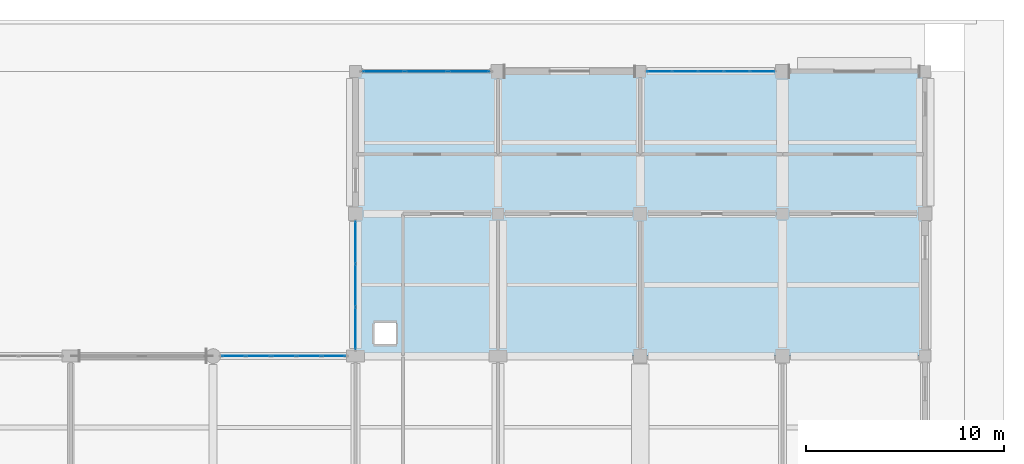
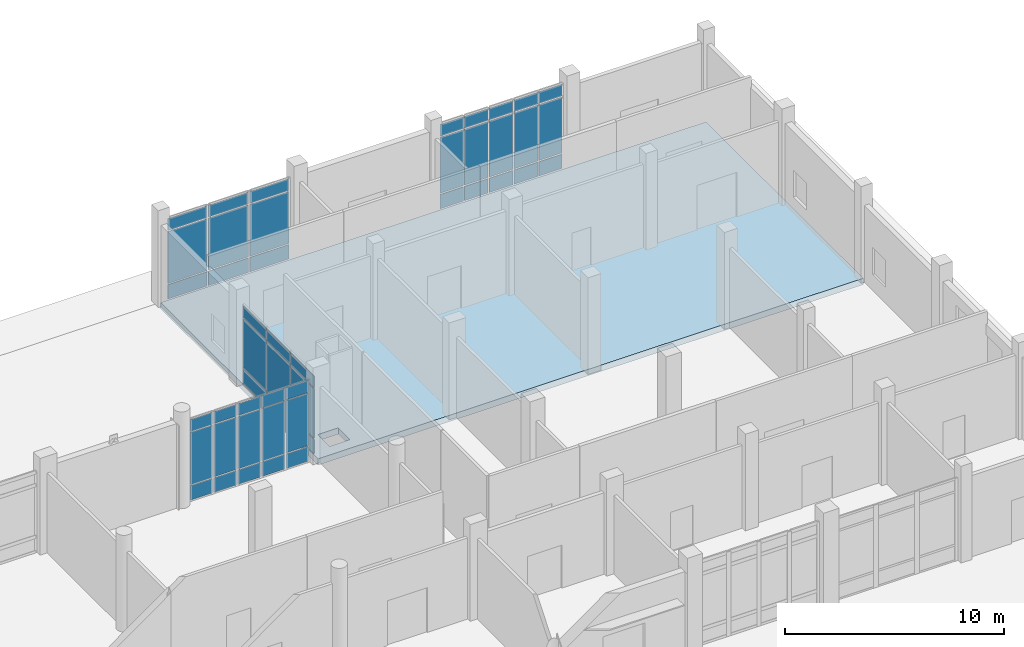
# One storey, part 158 of 229: 48 plates, 1 slab, 4 elements without a shape of their own.
"""IFC4 building model written with IfcOpenShell, lengths in metres."""

from ifc_helpers import new_model, si_unit, direction, frame, origin, origin_2d, place, context, subcontext, project, spatial, polyline, rectangle, outline, extrude, material, layer, layer_set, type_object, element, aggregate, save


model = new_model("IFC4")

# Units and contexts
model_context = context("Model", 3, precision=1e-05, world=origin(), true_north=direction((0.0, 1.0)))
body_context = subcontext(model_context, "Body", "Model", "MODEL_VIEW")
ifc_project = project(units=[si_unit("LENGTHUNIT", "METRE"), si_unit("AREAUNIT", "SQUARE_METRE"), si_unit("VOLUMEUNIT", "CUBIC_METRE"), si_unit("PLANEANGLEUNIT", "RADIAN"), si_unit("MASSUNIT", "GRAM", prefix="KILO")], contexts=[model_context])

# Site, building, storey
site_placement = place(None, origin())
site = spatial("IfcSite", under=ifc_project, at=site_placement, CompositionType="ELEMENT")
building_placement = place(site_placement, origin())
building = spatial("IfcBuilding", under=site, at=building_placement, Name="Calvrana Isthmian Art Gallery", CompositionType="ELEMENT")
storey_placement = place(building_placement, origin())
storey = spatial("IfcBuildingStorey", under=building, at=storey_placement, Name="L00", CompositionType="ELEMENT", Elevation=0.0)

# Curtain wall, plates
ifc_material_1 = material(Name="Anodized bronze aluminium 6063-T6", Category="aluminium")
ifc_layer_1 = layer(ifc_material_1, 0.179931640625, Name="Anodized bronze aluminium 6063-T6")
ifc_layer_set_1 = layer_set([ifc_layer_1], Name="Anodized bronze aluminium 6063-T6")
curtain_wall_type_1 = type_object("IfcCurtainWallType", Name="CW-UNIT-064X46", PredefinedType="USERDEFINED", material=ifc_layer_set_1)
curtain_wall_1_placement = place(storey_placement, origin())
curtain_wall_1 = element("IfcCurtainWall", 1, at=curtain_wall_1_placement, inside=storey, type_object=curtain_wall_type_1, Name="Curtain wall CW-040", ObjectType="UNITISED CURTAIN WALL", PredefinedType="USERDEFINED")
ifc_material_2 = material(Name="Polychrome glazed terracotta", Category="masonry")
ifc_layer_2 = layer(ifc_material_2, 0.033935546875, Name="Polychrome glazed terracotta")
ifc_layer_set_2 = layer_set([ifc_layer_2], Name="Polychrome glazed terracotta")
plate_type_1 = type_object("IfcPlateType", Name="CWP-SPANDREL-34", PredefinedType="CURTAIN_PANEL", material=ifc_layer_set_2)
plate_1_placement = place(storey_placement, frame((128.231201171875, 98.39990234375, 0.06005859375), z_axis=(0.0, 0.0, 1.0), x_axis=(1.0, 0.0, 0.0)))
plate_1 = element("IfcPlate", 2, at=plate_1_placement, type_object=plate_type_1, Name="CW-040 panel 1.1", PredefinedType="CURTAIN_PANEL", context=body_context, shape_type="SweptSolid", body=[
    extrude(rectangle(XDim=1.16259765625, YDim=0.033935546875, at=origin_2d()), origin(), (0.0, 0.0, 1.0), 0.81005859375),
])
plate_2_placement = place(storey_placement, frame((128.231201171875, 98.39990234375, 0.93017578125), z_axis=(0.0, 0.0, 1.0), x_axis=(1.0, 0.0, 0.0)))
plate_2 = element("IfcPlate", 3, at=plate_2_placement, type_object=plate_type_1, Name="CW-040 panel 1.2", PredefinedType="CURTAIN_PANEL", context=body_context, shape_type="SweptSolid", body=[
    extrude(rectangle(XDim=1.16259765625, YDim=0.033935546875, at=origin_2d()), origin(), (0.0, 0.0, 1.0), 2.907958984375),
])
plate_3_placement = place(storey_placement, frame((128.231201171875, 98.39990234375, 3.89794921875), z_axis=(0.0, 0.0, 1.0), x_axis=(1.0, 0.0, 0.0)))
plate_3 = element("IfcPlate", 4, at=plate_3_placement, type_object=plate_type_1, Name="CW-040 panel 1.3", PredefinedType="CURTAIN_PANEL", context=body_context, shape_type="SweptSolid", body=[
    extrude(rectangle(XDim=1.16259765625, YDim=0.033935546875, at=origin_2d()), origin(), (0.0, 0.0, 1.0), 0.659912109375),
])
plate_4_placement = place(storey_placement, frame((129.487548828125, 98.39990234375, 0.06005859375), z_axis=(0.0, 0.0, 1.0), x_axis=(1.0, 0.0, 0.0)))
plate_4 = element("IfcPlate", 5, at=plate_4_placement, type_object=plate_type_1, Name="CW-040 panel 2.1", PredefinedType="CURTAIN_PANEL", context=body_context, shape_type="SweptSolid", body=[
    extrude(rectangle(XDim=1.199951171875, YDim=0.033935546875, at=origin_2d()), origin(), (0.0, 0.0, 1.0), 0.81005859375),
])
plate_5_placement = place(storey_placement, frame((129.487548828125, 98.39990234375, 0.93017578125), z_axis=(0.0, 0.0, 1.0), x_axis=(1.0, 0.0, 0.0)))
plate_5 = element("IfcPlate", 6, at=plate_5_placement, type_object=plate_type_1, Name="CW-040 panel 2.2", PredefinedType="CURTAIN_PANEL", context=body_context, shape_type="SweptSolid", body=[
    extrude(rectangle(XDim=1.199951171875, YDim=0.033935546875, at=origin_2d()), origin(), (0.0, 0.0, 1.0), 2.907958984375),
])
plate_6_placement = place(storey_placement, frame((129.487548828125, 98.39990234375, 3.89794921875), z_axis=(0.0, 0.0, 1.0), x_axis=(1.0, 0.0, 0.0)))
plate_6 = element("IfcPlate", 7, at=plate_6_placement, type_object=plate_type_1, Name="CW-040 panel 2.3", PredefinedType="CURTAIN_PANEL", context=body_context, shape_type="SweptSolid", body=[
    extrude(rectangle(XDim=1.199951171875, YDim=0.033935546875, at=origin_2d()), origin(), (0.0, 0.0, 1.0), 0.659912109375),
])
plate_7_placement = place(storey_placement, frame((130.762451171875, 98.39990234375, 0.06005859375), z_axis=(0.0, 0.0, 1.0), x_axis=(1.0, 0.0, 0.0)))
plate_7 = element("IfcPlate", 8, at=plate_7_placement, type_object=plate_type_1, Name="CW-040 panel 3.1", PredefinedType="CURTAIN_PANEL", context=body_context, shape_type="SweptSolid", body=[
    extrude(rectangle(XDim=1.199951171875, YDim=0.033935546875, at=origin_2d()), origin(), (0.0, 0.0, 1.0), 0.81005859375),
])
plate_8_placement = place(storey_placement, frame((130.762451171875, 98.39990234375, 0.93017578125), z_axis=(0.0, 0.0, 1.0), x_axis=(1.0, 0.0, 0.0)))
plate_8 = element("IfcPlate", 9, at=plate_8_placement, type_object=plate_type_1, Name="CW-040 panel 3.2", PredefinedType="CURTAIN_PANEL", context=body_context, shape_type="SweptSolid", body=[
    extrude(rectangle(XDim=1.199951171875, YDim=0.033935546875, at=origin_2d()), origin(), (0.0, 0.0, 1.0), 2.907958984375),
])
plate_9_placement = place(storey_placement, frame((130.762451171875, 98.39990234375, 3.89794921875), z_axis=(0.0, 0.0, 1.0), x_axis=(1.0, 0.0, 0.0)))
plate_9 = element("IfcPlate", 10, at=plate_9_placement, type_object=plate_type_1, Name="CW-040 panel 3.3", PredefinedType="CURTAIN_PANEL", context=body_context, shape_type="SweptSolid", body=[
    extrude(rectangle(XDim=1.199951171875, YDim=0.033935546875, at=origin_2d()), origin(), (0.0, 0.0, 1.0), 0.659912109375),
])
plate_10_placement = place(storey_placement, frame((132.03759765625, 98.39990234375, 0.06005859375), z_axis=(0.0, 0.0, 1.0), x_axis=(1.0, 0.0, 0.0)))
plate_10 = element("IfcPlate", 11, at=plate_10_placement, type_object=plate_type_1, Name="CW-040 panel 4.1", PredefinedType="CURTAIN_PANEL", context=body_context, shape_type="SweptSolid", body=[
    extrude(rectangle(XDim=1.199951171875, YDim=0.033935546875, at=origin_2d()), origin(), (0.0, 0.0, 1.0), 0.81005859375),
])
plate_11_placement = place(storey_placement, frame((132.03759765625, 98.39990234375, 0.93017578125), z_axis=(0.0, 0.0, 1.0), x_axis=(1.0, 0.0, 0.0)))
plate_11 = element("IfcPlate", 12, at=plate_11_placement, type_object=plate_type_1, Name="CW-040 panel 4.2", PredefinedType="CURTAIN_PANEL", context=body_context, shape_type="SweptSolid", body=[
    extrude(rectangle(XDim=1.199951171875, YDim=0.033935546875, at=origin_2d()), origin(), (0.0, 0.0, 1.0), 2.907958984375),
])
plate_12_placement = place(storey_placement, frame((132.03759765625, 98.39990234375, 3.89794921875), z_axis=(0.0, 0.0, 1.0), x_axis=(1.0, 0.0, 0.0)))
plate_12 = element("IfcPlate", 13, at=plate_12_placement, type_object=plate_type_1, Name="CW-040 panel 4.3", PredefinedType="CURTAIN_PANEL", context=body_context, shape_type="SweptSolid", body=[
    extrude(rectangle(XDim=1.199951171875, YDim=0.033935546875, at=origin_2d()), origin(), (0.0, 0.0, 1.0), 0.659912109375),
])
plate_13_placement = place(storey_placement, frame((133.293701171875, 98.39990234375, 0.06005859375), z_axis=(0.0, 0.0, 1.0), x_axis=(1.0, 0.0, 0.0)))
plate_13 = element("IfcPlate", 14, at=plate_13_placement, type_object=plate_type_1, Name="CW-040 panel 5.1", PredefinedType="CURTAIN_PANEL", context=body_context, shape_type="SweptSolid", body=[
    extrude(rectangle(XDim=1.16259765625, YDim=0.033935546875, at=origin_2d()), origin(), (0.0, 0.0, 1.0), 0.81005859375),
])
plate_14_placement = place(storey_placement, frame((133.293701171875, 98.39990234375, 0.93017578125), z_axis=(0.0, 0.0, 1.0), x_axis=(1.0, 0.0, 0.0)))
plate_14 = element("IfcPlate", 15, at=plate_14_placement, type_object=plate_type_1, Name="CW-040 panel 5.2", PredefinedType="CURTAIN_PANEL", context=body_context, shape_type="SweptSolid", body=[
    extrude(rectangle(XDim=1.16259765625, YDim=0.033935546875, at=origin_2d()), origin(), (0.0, 0.0, 1.0), 2.907958984375),
])
plate_15_placement = place(storey_placement, frame((133.293701171875, 98.39990234375, 3.89794921875), z_axis=(0.0, 0.0, 1.0), x_axis=(1.0, 0.0, 0.0)))
plate_15 = element("IfcPlate", 16, at=plate_15_placement, type_object=plate_type_1, Name="CW-040 panel 5.3", PredefinedType="CURTAIN_PANEL", context=body_context, shape_type="SweptSolid", body=[
    extrude(rectangle(XDim=1.16259765625, YDim=0.033935546875, at=origin_2d()), origin(), (0.0, 0.0, 1.0), 0.659912109375),
])
aggregate(curtain_wall_1, [plate_1, plate_2, plate_3, plate_4, plate_5, plate_6, plate_7, plate_8, plate_9, plate_10, plate_11, plate_12, plate_13, plate_14, plate_15])

ifc_layer_3 = layer(ifc_material_1, 0.179931640625, Name="Anodized bronze aluminium 6063-T6")
ifc_layer_set_3 = layer_set([ifc_layer_3], Name="Anodized bronze aluminium 6063-T6")
curtain_wall_type_2 = type_object("IfcCurtainWallType", Name="CW-STICK-065X46", PredefinedType="NOTDEFINED", material=ifc_layer_set_3)
curtain_wall_2_placement = place(storey_placement, origin())
curtain_wall_2 = element("IfcCurtainWall", 17, at=curtain_wall_2_placement, inside=storey, type_object=curtain_wall_type_2, Name="Curtain wall CW-047", PredefinedType="NOTDEFINED")
ifc_material_3 = material(Name="Low-E laminated solar glass", Category="glass")
ifc_layer_4 = layer(ifc_material_3, 0.028076171875, Name="Low-E laminated solar glass")
ifc_layer_set_4 = layer_set([ifc_layer_4], Name="Low-E laminated solar glass")
plate_type_2 = type_object("IfcPlateType", Name="CWP-VISION-28", PredefinedType="CURTAIN_PANEL", material=ifc_layer_set_4)
plate_16_placement = place(storey_placement, frame((135.811767578125, 112.800048828125, 0.06494140625), z_axis=(0.0, 0.0, 1.0), x_axis=(1.0, 0.0, 0.0)))
plate_16 = element("IfcPlate", 18, at=plate_16_placement, type_object=plate_type_2, Name="CW-047 panel 1.1", PredefinedType="CURTAIN_PANEL", context=body_context, shape_type="SweptSolid", body=[
    extrude(rectangle(XDim=2.063232421875, YDim=0.028076171875, at=origin_2d()), origin(), (0.0, 0.0, 1.0), 0.802490234375),
])
plate_17_placement = place(storey_placement, frame((135.811767578125, 112.800048828125, 0.932373046875), z_axis=(0.0, 0.0, 1.0), x_axis=(1.0, 0.0, 0.0)))
plate_17 = element("IfcPlate", 19, at=plate_17_placement, type_object=plate_type_2, Name="CW-047 panel 1.2", PredefinedType="CURTAIN_PANEL", context=body_context, shape_type="SweptSolid", body=[
    extrude(rectangle(XDim=2.063232421875, YDim=0.028076171875, at=origin_2d()), origin(), (0.0, 0.0, 1.0), 2.89208984375),
])
plate_18_placement = place(storey_placement, frame((135.811767578125, 112.800048828125, 3.8896484375), z_axis=(0.0, 0.0, 1.0), x_axis=(1.0, 0.0, 0.0)))
plate_18 = element("IfcPlate", 20, at=plate_18_placement, type_object=plate_type_2, Name="CW-047 panel 1.3", PredefinedType="CURTAIN_PANEL", context=body_context, shape_type="SweptSolid", body=[
    extrude(rectangle(XDim=2.063232421875, YDim=0.028076171875, at=origin_2d()), origin(), (0.0, 0.0, 1.0), 0.652587890625),
])
plate_19_placement = place(storey_placement, frame((137.97509765625, 112.800048828125, 0.06494140625), z_axis=(0.0, 0.0, 1.0), x_axis=(1.0, 0.0, 0.0)))
plate_19 = element("IfcPlate", 21, at=plate_19_placement, type_object=plate_type_2, Name="CW-047 panel 2.1", PredefinedType="CURTAIN_PANEL", context=body_context, shape_type="SweptSolid", body=[
    extrude(rectangle(XDim=2.103271484375, YDim=0.028076171875, at=origin_2d()), origin(), (0.0, 0.0, 1.0), 0.802490234375),
])
plate_20_placement = place(storey_placement, frame((137.97509765625, 112.800048828125, 0.932373046875), z_axis=(0.0, 0.0, 1.0), x_axis=(1.0, 0.0, 0.0)))
plate_20 = element("IfcPlate", 22, at=plate_20_placement, type_object=plate_type_2, Name="CW-047 panel 2.2", PredefinedType="CURTAIN_PANEL", context=body_context, shape_type="SweptSolid", body=[
    extrude(rectangle(XDim=2.103271484375, YDim=0.028076171875, at=origin_2d()), origin(), (0.0, 0.0, 1.0), 2.89208984375),
])
plate_21_placement = place(storey_placement, frame((137.97509765625, 112.800048828125, 3.8896484375), z_axis=(0.0, 0.0, 1.0), x_axis=(1.0, 0.0, 0.0)))
plate_21 = element("IfcPlate", 23, at=plate_21_placement, type_object=plate_type_2, Name="CW-047 panel 2.3", PredefinedType="CURTAIN_PANEL", context=body_context, shape_type="SweptSolid", body=[
    extrude(rectangle(XDim=2.103271484375, YDim=0.028076171875, at=origin_2d()), origin(), (0.0, 0.0, 1.0), 0.652587890625),
])
plate_22_placement = place(storey_placement, frame((140.138427734375, 112.800048828125, 0.06494140625), z_axis=(0.0, 0.0, 1.0), x_axis=(1.0, 0.0, 0.0)))
plate_22 = element("IfcPlate", 24, at=plate_22_placement, type_object=plate_type_2, Name="CW-047 panel 3.1", PredefinedType="CURTAIN_PANEL", context=body_context, shape_type="SweptSolid", body=[
    extrude(rectangle(XDim=2.063232421875, YDim=0.028076171875, at=origin_2d()), origin(), (0.0, 0.0, 1.0), 0.802490234375),
])
plate_23_placement = place(storey_placement, frame((140.138427734375, 112.800048828125, 0.932373046875), z_axis=(0.0, 0.0, 1.0), x_axis=(1.0, 0.0, 0.0)))
plate_23 = element("IfcPlate", 25, at=plate_23_placement, type_object=plate_type_2, Name="CW-047 panel 3.2", PredefinedType="CURTAIN_PANEL", context=body_context, shape_type="SweptSolid", body=[
    extrude(rectangle(XDim=2.063232421875, YDim=0.028076171875, at=origin_2d()), origin(), (0.0, 0.0, 1.0), 2.89208984375),
])
plate_24_placement = place(storey_placement, frame((140.138427734375, 112.800048828125, 3.8896484375), z_axis=(0.0, 0.0, 1.0), x_axis=(1.0, 0.0, 0.0)))
plate_24 = element("IfcPlate", 26, at=plate_24_placement, type_object=plate_type_2, Name="CW-047 panel 3.3", PredefinedType="CURTAIN_PANEL", context=body_context, shape_type="SweptSolid", body=[
    extrude(rectangle(XDim=2.063232421875, YDim=0.028076171875, at=origin_2d()), origin(), (0.0, 0.0, 1.0), 0.652587890625),
])
aggregate(curtain_wall_2, [plate_16, plate_17, plate_18, plate_19, plate_20, plate_21, plate_22, plate_23, plate_24])

ifc_layer_5 = layer(ifc_material_1, 0.179931640625, Name="Anodized bronze aluminium 6063-T6")
ifc_layer_set_5 = layer_set([ifc_layer_5], Name="Anodized bronze aluminium 6063-T6")
curtain_wall_type_3 = type_object("IfcCurtainWallType", Name="CW-STICK-065X48", PredefinedType="NOTDEFINED", material=ifc_layer_set_5)
curtain_wall_3_placement = place(storey_placement, origin())
curtain_wall_3 = element("IfcCurtainWall", 27, at=curtain_wall_3_placement, inside=storey, type_object=curtain_wall_type_3, Name="Curtain wall CW-048", PredefinedType="NOTDEFINED")
plate_25_placement = place(storey_placement, frame((149.77001953125, 112.800048828125, 0.070068359375), z_axis=(0.0, 0.0, 1.0), x_axis=(1.0, 0.0, 0.0)))
plate_25 = element("IfcPlate", 28, at=plate_25_placement, type_object=plate_type_2, Name="CW-048 panel 1.1", PredefinedType="CURTAIN_PANEL", context=body_context, shape_type="SweptSolid", body=[
    extrude(rectangle(XDim=1.219970703125, YDim=0.028076171875, at=origin_2d()), origin(), (0.0, 0.0, 1.0), 0.794921875),
])
plate_26_placement = place(storey_placement, frame((149.77001953125, 112.800048828125, 0.93505859375), z_axis=(0.0, 0.0, 1.0), x_axis=(1.0, 0.0, 0.0)))
plate_26 = element("IfcPlate", 29, at=plate_26_placement, type_object=plate_type_2, Name="CW-048 panel 1.2", PredefinedType="CURTAIN_PANEL", context=body_context, shape_type="SweptSolid", body=[
    extrude(rectangle(XDim=1.219970703125, YDim=0.028076171875, at=origin_2d()), origin(), (0.0, 0.0, 1.0), 3.115234375),
])
plate_27_placement = place(storey_placement, frame((149.77001953125, 112.800048828125, 4.1201171875), z_axis=(0.0, 0.0, 1.0), x_axis=(1.0, 0.0, 0.0)))
plate_27 = element("IfcPlate", 30, at=plate_27_placement, type_object=plate_type_2, Name="CW-048 panel 1.3", PredefinedType="CURTAIN_PANEL", context=body_context, shape_type="SweptSolid", body=[
    extrude(rectangle(XDim=1.219970703125, YDim=0.028076171875, at=origin_2d()), origin(), (0.0, 0.0, 1.0), 0.64501953125),
])
plate_28_placement = place(storey_placement, frame((151.06494140625, 112.800048828125, 0.070068359375), z_axis=(0.0, 0.0, 1.0), x_axis=(1.0, 0.0, 0.0)))
plate_28 = element("IfcPlate", 31, at=plate_28_placement, type_object=plate_type_2, Name="CW-048 panel 2.1", PredefinedType="CURTAIN_PANEL", context=body_context, shape_type="SweptSolid", body=[
    extrude(rectangle(XDim=1.25, YDim=0.028076171875, at=origin_2d()), origin(), (0.0, 0.0, 1.0), 0.794921875),
])
plate_29_placement = place(storey_placement, frame((151.06494140625, 112.800048828125, 0.93505859375), z_axis=(0.0, 0.0, 1.0), x_axis=(1.0, 0.0, 0.0)))
plate_29 = element("IfcPlate", 32, at=plate_29_placement, type_object=plate_type_2, Name="CW-048 panel 2.2", PredefinedType="CURTAIN_PANEL", context=body_context, shape_type="SweptSolid", body=[
    extrude(rectangle(XDim=1.25, YDim=0.028076171875, at=origin_2d()), origin(), (0.0, 0.0, 1.0), 3.115234375),
])
plate_30_placement = place(storey_placement, frame((151.06494140625, 112.800048828125, 4.1201171875), z_axis=(0.0, 0.0, 1.0), x_axis=(1.0, 0.0, 0.0)))
plate_30 = element("IfcPlate", 33, at=plate_30_placement, type_object=plate_type_2, Name="CW-048 panel 2.3", PredefinedType="CURTAIN_PANEL", context=body_context, shape_type="SweptSolid", body=[
    extrude(rectangle(XDim=1.25, YDim=0.028076171875, at=origin_2d()), origin(), (0.0, 0.0, 1.0), 0.64501953125),
])
plate_31_placement = place(storey_placement, frame((152.375, 112.800048828125, 0.070068359375), z_axis=(0.0, 0.0, 1.0), x_axis=(1.0, 0.0, 0.0)))
plate_31 = element("IfcPlate", 34, at=plate_31_placement, type_object=plate_type_2, Name="CW-048 panel 3.1", PredefinedType="CURTAIN_PANEL", context=body_context, shape_type="SweptSolid", body=[
    extrude(rectangle(XDim=1.25, YDim=0.028076171875, at=origin_2d()), origin(), (0.0, 0.0, 1.0), 0.794921875),
])
plate_32_placement = place(storey_placement, frame((152.375, 112.800048828125, 0.93505859375), z_axis=(0.0, 0.0, 1.0), x_axis=(1.0, 0.0, 0.0)))
plate_32 = element("IfcPlate", 35, at=plate_32_placement, type_object=plate_type_2, Name="CW-048 panel 3.2", PredefinedType="CURTAIN_PANEL", context=body_context, shape_type="SweptSolid", body=[
    extrude(rectangle(XDim=1.25, YDim=0.028076171875, at=origin_2d()), origin(), (0.0, 0.0, 1.0), 3.115234375),
])
plate_33_placement = place(storey_placement, frame((152.375, 112.800048828125, 4.1201171875), z_axis=(0.0, 0.0, 1.0), x_axis=(1.0, 0.0, 0.0)))
plate_33 = element("IfcPlate", 36, at=plate_33_placement, type_object=plate_type_2, Name="CW-048 panel 3.3", PredefinedType="CURTAIN_PANEL", context=body_context, shape_type="SweptSolid", body=[
    extrude(rectangle(XDim=1.25, YDim=0.028076171875, at=origin_2d()), origin(), (0.0, 0.0, 1.0), 0.64501953125),
])
plate_34_placement = place(storey_placement, frame((153.68505859375, 112.800048828125, 0.070068359375), z_axis=(0.0, 0.0, 1.0), x_axis=(1.0, 0.0, 0.0)))
plate_34 = element("IfcPlate", 37, at=plate_34_placement, type_object=plate_type_2, Name="CW-048 panel 4.1", PredefinedType="CURTAIN_PANEL", context=body_context, shape_type="SweptSolid", body=[
    extrude(rectangle(XDim=1.25, YDim=0.028076171875, at=origin_2d()), origin(), (0.0, 0.0, 1.0), 0.794921875),
])
plate_35_placement = place(storey_placement, frame((153.68505859375, 112.800048828125, 0.93505859375), z_axis=(0.0, 0.0, 1.0), x_axis=(1.0, 0.0, 0.0)))
plate_35 = element("IfcPlate", 38, at=plate_35_placement, type_object=plate_type_2, Name="CW-048 panel 4.2", PredefinedType="CURTAIN_PANEL", context=body_context, shape_type="SweptSolid", body=[
    extrude(rectangle(XDim=1.25, YDim=0.028076171875, at=origin_2d()), origin(), (0.0, 0.0, 1.0), 3.115234375),
])
plate_36_placement = place(storey_placement, frame((153.68505859375, 112.800048828125, 4.1201171875), z_axis=(0.0, 0.0, 1.0), x_axis=(1.0, 0.0, 0.0)))
plate_36 = element("IfcPlate", 39, at=plate_36_placement, type_object=plate_type_2, Name="CW-048 panel 4.3", PredefinedType="CURTAIN_PANEL", context=body_context, shape_type="SweptSolid", body=[
    extrude(rectangle(XDim=1.25, YDim=0.028076171875, at=origin_2d()), origin(), (0.0, 0.0, 1.0), 0.64501953125),
])
plate_37_placement = place(storey_placement, frame((154.97998046875, 112.800048828125, 0.070068359375), z_axis=(0.0, 0.0, 1.0), x_axis=(1.0, 0.0, 0.0)))
plate_37 = element("IfcPlate", 40, at=plate_37_placement, type_object=plate_type_2, Name="CW-048 panel 5.1", PredefinedType="CURTAIN_PANEL", context=body_context, shape_type="SweptSolid", body=[
    extrude(rectangle(XDim=1.219970703125, YDim=0.028076171875, at=origin_2d()), origin(), (0.0, 0.0, 1.0), 0.794921875),
])
plate_38_placement = place(storey_placement, frame((154.97998046875, 112.800048828125, 0.93505859375), z_axis=(0.0, 0.0, 1.0), x_axis=(1.0, 0.0, 0.0)))
plate_38 = element("IfcPlate", 41, at=plate_38_placement, type_object=plate_type_2, Name="CW-048 panel 5.2", PredefinedType="CURTAIN_PANEL", context=body_context, shape_type="SweptSolid", body=[
    extrude(rectangle(XDim=1.219970703125, YDim=0.028076171875, at=origin_2d()), origin(), (0.0, 0.0, 1.0), 3.115234375),
])
plate_39_placement = place(storey_placement, frame((154.97998046875, 112.800048828125, 4.1201171875), z_axis=(0.0, 0.0, 1.0), x_axis=(1.0, 0.0, 0.0)))
plate_39 = element("IfcPlate", 42, at=plate_39_placement, type_object=plate_type_2, Name="CW-048 panel 5.3", PredefinedType="CURTAIN_PANEL", context=body_context, shape_type="SweptSolid", body=[
    extrude(rectangle(XDim=1.219970703125, YDim=0.028076171875, at=origin_2d()), origin(), (0.0, 0.0, 1.0), 0.64501953125),
])
aggregate(curtain_wall_3, [plate_25, plate_26, plate_27, plate_28, plate_29, plate_30, plate_31, plate_32, plate_33, plate_34, plate_35, plate_36, plate_37, plate_38, plate_39])

ifc_layer_6 = layer(ifc_material_1, 0.179931640625, Name="Anodized bronze aluminium 6063-T6")
ifc_layer_set_6 = layer_set([ifc_layer_6], Name="Anodized bronze aluminium 6063-T6")
curtain_wall_type_4 = type_object("IfcCurtainWallType", Name="CW-UNIT-065X45", PredefinedType="USERDEFINED", material=ifc_layer_set_6)
curtain_wall_4_placement = place(storey_placement, origin())
curtain_wall_4 = element("IfcCurtainWall", 43, at=curtain_wall_4_placement, inside=storey, type_object=curtain_wall_type_4, Name="Curtain wall CW-079", ObjectType="UNITISED CURTAIN WALL", PredefinedType="USERDEFINED")
plate_40_placement = place(storey_placement, frame((134.39990234375, 99.806640625, 0.074951171875), z_axis=(0.0, 0.0, 1.0), x_axis=(0.0, 1.0, 0.0)))
plate_40 = element("IfcPlate", 44, at=plate_40_placement, type_object=plate_type_2, Name="CW-079 panel 1.1", PredefinedType="CURTAIN_PANEL", context=body_context, shape_type="SweptSolid", body=[
    extrude(rectangle(XDim=2.09326171875, YDim=0.028076171875, at=origin_2d()), origin(), (0.0, 0.0, 1.0), 0.78759765625),
])
plate_41_placement = place(storey_placement, frame((134.39990234375, 99.806640625, 0.9375), z_axis=(0.0, 0.0, 1.0), x_axis=(0.0, 1.0, 0.0)))
plate_41 = element("IfcPlate", 45, at=plate_41_placement, type_object=plate_type_2, Name="CW-079 panel 1.2", PredefinedType="CURTAIN_PANEL", context=body_context, shape_type="SweptSolid", body=[
    extrude(rectangle(XDim=2.09326171875, YDim=0.028076171875, at=origin_2d()), origin(), (0.0, 0.0, 1.0), 2.7548828125),
])
plate_42_placement = place(storey_placement, frame((134.39990234375, 99.806640625, 3.767578125), z_axis=(0.0, 0.0, 1.0), x_axis=(0.0, 1.0, 0.0)))
plate_42 = element("IfcPlate", 46, at=plate_42_placement, type_object=plate_type_2, Name="CW-079 panel 1.3", PredefinedType="CURTAIN_PANEL", context=body_context, shape_type="SweptSolid", body=[
    extrude(rectangle(XDim=2.09326171875, YDim=0.028076171875, at=origin_2d()), origin(), (0.0, 0.0, 1.0), 0.637451171875),
])
plate_43_placement = place(storey_placement, frame((134.39990234375, 101.97509765625, 0.074951171875), z_axis=(0.0, 0.0, 1.0), x_axis=(0.0, 1.0, 0.0)))
plate_43 = element("IfcPlate", 47, at=plate_43_placement, type_object=plate_type_2, Name="CW-079 panel 2.1", PredefinedType="CURTAIN_PANEL", context=body_context, shape_type="SweptSolid", body=[
    extrude(rectangle(XDim=2.123291015625, YDim=0.028076171875, at=origin_2d()), origin(), (0.0, 0.0, 1.0), 0.78759765625),
])
plate_44_placement = place(storey_placement, frame((134.39990234375, 101.97509765625, 0.9375), z_axis=(0.0, 0.0, 1.0), x_axis=(0.0, 1.0, 0.0)))
plate_44 = element("IfcPlate", 48, at=plate_44_placement, type_object=plate_type_2, Name="CW-079 panel 2.2", PredefinedType="CURTAIN_PANEL", context=body_context, shape_type="SweptSolid", body=[
    extrude(rectangle(XDim=2.123291015625, YDim=0.028076171875, at=origin_2d()), origin(), (0.0, 0.0, 1.0), 2.7548828125),
])
plate_45_placement = place(storey_placement, frame((134.39990234375, 101.97509765625, 3.767578125), z_axis=(0.0, 0.0, 1.0), x_axis=(0.0, 1.0, 0.0)))
plate_45 = element("IfcPlate", 49, at=plate_45_placement, type_object=plate_type_2, Name="CW-079 panel 2.3", PredefinedType="CURTAIN_PANEL", context=body_context, shape_type="SweptSolid", body=[
    extrude(rectangle(XDim=2.123291015625, YDim=0.028076171875, at=origin_2d()), origin(), (0.0, 0.0, 1.0), 0.637451171875),
])
plate_46_placement = place(storey_placement, frame((134.39990234375, 104.143310546875, 0.074951171875), z_axis=(0.0, 0.0, 1.0), x_axis=(0.0, 1.0, 0.0)))
plate_46 = element("IfcPlate", 50, at=plate_46_placement, type_object=plate_type_2, Name="CW-079 panel 3.1", PredefinedType="CURTAIN_PANEL", context=body_context, shape_type="SweptSolid", body=[
    extrude(rectangle(XDim=2.09326171875, YDim=0.028076171875, at=origin_2d()), origin(), (0.0, 0.0, 1.0), 0.78759765625),
])
plate_47_placement = place(storey_placement, frame((134.39990234375, 104.143310546875, 0.9375), z_axis=(0.0, 0.0, 1.0), x_axis=(0.0, 1.0, 0.0)))
plate_47 = element("IfcPlate", 51, at=plate_47_placement, type_object=plate_type_2, Name="CW-079 panel 3.2", PredefinedType="CURTAIN_PANEL", context=body_context, shape_type="SweptSolid", body=[
    extrude(rectangle(XDim=2.09326171875, YDim=0.028076171875, at=origin_2d()), origin(), (0.0, 0.0, 1.0), 2.7548828125),
])
plate_48_placement = place(storey_placement, frame((134.39990234375, 104.143310546875, 3.767578125), z_axis=(0.0, 0.0, 1.0), x_axis=(0.0, 1.0, 0.0)))
plate_48 = element("IfcPlate", 52, at=plate_48_placement, type_object=plate_type_2, Name="CW-079 panel 3.3", PredefinedType="CURTAIN_PANEL", context=body_context, shape_type="SweptSolid", body=[
    extrude(rectangle(XDim=2.09326171875, YDim=0.028076171875, at=origin_2d()), origin(), (0.0, 0.0, 1.0), 0.637451171875),
])
aggregate(curtain_wall_4, [plate_40, plate_41, plate_42, plate_43, plate_44, plate_45, plate_46, plate_47, plate_48])

# Slab
ifc_material_4 = material(Name="Concrete C40/50", Category="concrete")
ifc_layer_7 = layer(ifc_material_4, 0.35009765625, Name="Concrete C40/50")
ifc_layer_set_7 = layer_set([ifc_layer_7], Name="Concrete C40/50")
slab_type = type_object("IfcSlabType", Name="SLB-DOCK-350", PredefinedType="FLOOR", material=ifc_layer_set_7)
slab_placement = place(storey_placement, frame((0.0, 0.0, -0.35009765625)))
element("IfcSlab", 53, at=slab_placement, inside=storey, type_object=slab_type, Name="Floor slab V5N_L00", PredefinedType="FLOOR", context=body_context, shape_type="SweptSolid", body=[
    extrude(outline(polyline([(134.39990234375, 98.39990234375), (163.199951171875, 98.39990234375), (163.199951171875, 112.800048828125), (134.39990234375, 112.800048828125), (134.39990234375, 98.39990234375)]), holes=[polyline([(135.360107421875, 99.0), (136.43994140625, 99.0), (136.43994140625, 100.080078125), (135.360107421875, 100.080078125), (135.360107421875, 99.0)])]), origin(), (0.0, 0.0, 1.0), 0.35009765625),
])

save(model, "model.ifc")
